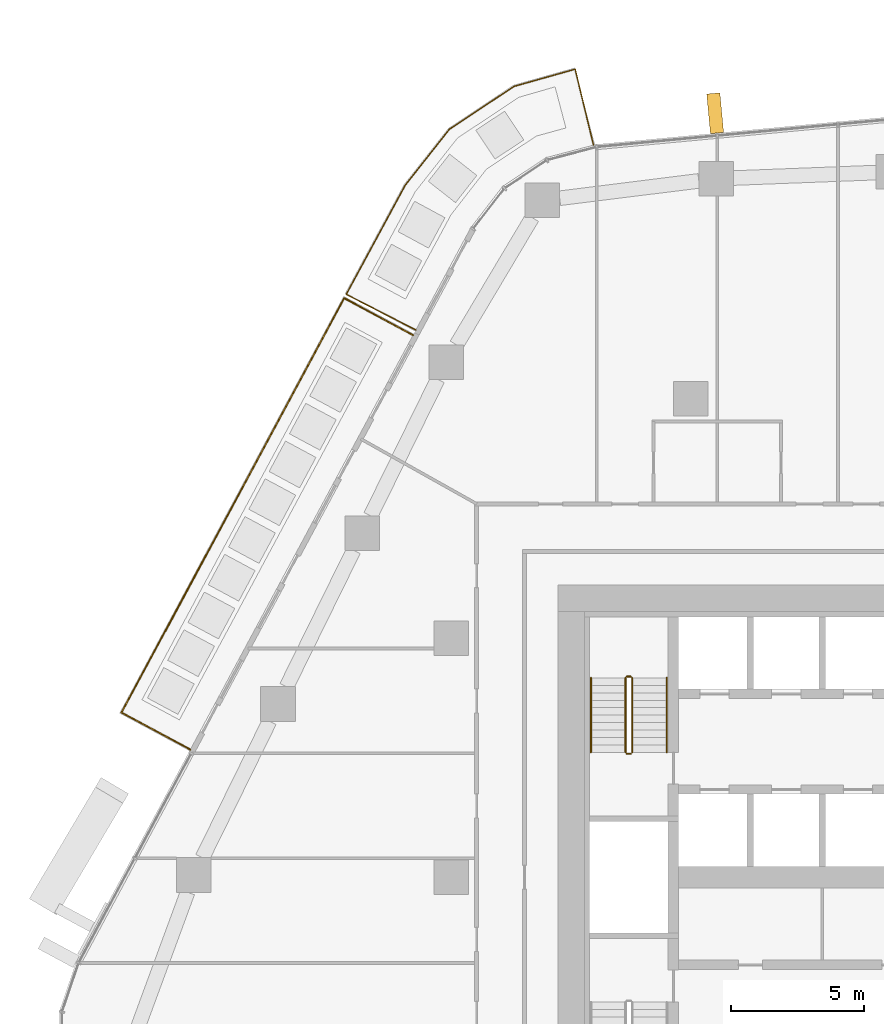
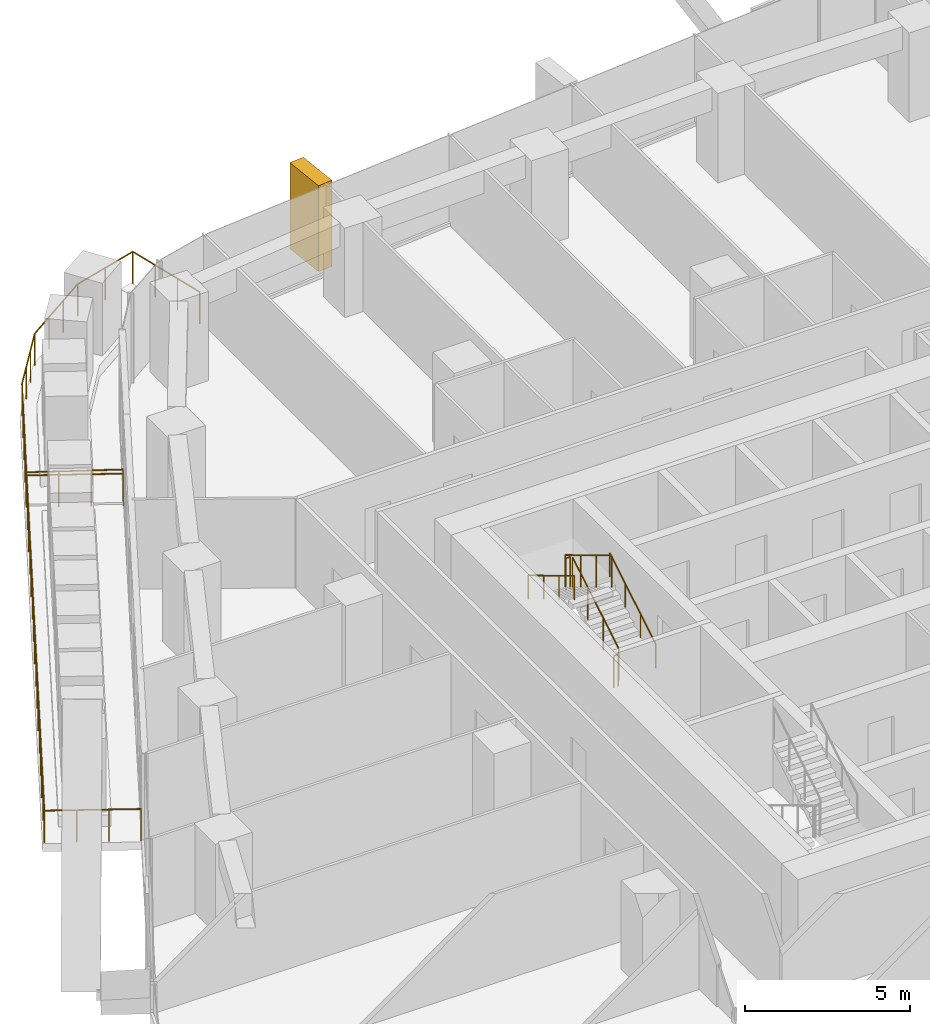
# One storey, part 21 of 23: 8 railings, 1 covering, 1 element without a shape of its own.
"""IFC4 building model written with IfcOpenShell, lengths in metres."""

from ifc_helpers import new_model, si_unit, direction, frame, origin, origin_2d, place, context, subcontext, project, spatial, rectangle, circle, extrude, material, layer, layer_set, material_profile, profile_set, type_object, element, aggregate, save


model = new_model("IFC4")

# Units and contexts
model_context = context("Model", 3, precision=1e-05, world=origin(), true_north=direction((0.0, 1.0)))
body_context = subcontext(model_context, "Body", "Model", "MODEL_VIEW")
ifc_project = project(units=[si_unit("LENGTHUNIT", "METRE"), si_unit("AREAUNIT", "SQUARE_METRE"), si_unit("VOLUMEUNIT", "CUBIC_METRE"), si_unit("PLANEANGLEUNIT", "RADIAN"), si_unit("MASSUNIT", "GRAM", prefix="KILO")], contexts=[model_context])

# Site, building, storey
site_placement = place(None, origin())
site = spatial("IfcSite", under=ifc_project, at=site_placement, CompositionType="ELEMENT")
building_placement = place(site_placement, origin())
building = spatial("IfcBuilding", under=site, at=building_placement, Name="Dongbaek Canopy Tower", CompositionType="ELEMENT")
storey_placement = place(building_placement, frame((0.0, 0.0, 121.10009765625)))
storey = spatial("IfcBuildingStorey", under=building, at=storey_placement, Name="L26", CompositionType="ELEMENT", Elevation=121.10009765625)

# Railings
ifc_material_1 = material(Name="Stainless steel", Category="steel")
railing_type_1 = type_object("IfcRailingType", Name="Balcony balustrade 1200", PredefinedType="BALUSTRADE", material=ifc_material_1)
railing_1_placement = place(storey_placement, frame((-19.446533203125, 20.402099609375, 0.0)))
element("IfcRailing", 1, at=railing_1_placement, inside=storey, type_object=railing_type_1, Name="Balcony guard L26 2", PredefinedType="BALUSTRADE", context=body_context, shape_type="SweptSolid", body=[
    extrude(circle(Radius=0.02392578125, at=origin_2d()), frame((0.0, 0.0, 1.17578125), z_axis=(-0.880868115947, 0.473361766842, 0.0), x_axis=(-0.473361766842, -0.880868115947, 0.0)), (0.0, 0.0, 1.0), 2.93994140625),
    extrude(circle(Radius=0.02392578125, at=origin_2d()), frame((-2.589599609375, 1.3916015625, 1.17578125), z_axis=(-0.473412360559, -0.880840925974, 0.0), x_axis=(0.880840925974, -0.473412360559, 0.0)), (0.0, 0.0, 1.0), 17.708251953125),
    extrude(circle(Radius=0.02392578125, at=origin_2d()), frame((-10.972900390625, -14.20654296875, 1.17578125), z_axis=(0.880833487352, -0.473426200753, 0.0), x_axis=(0.473426200753, 0.880833487352, 0.0)), (0.0, 0.0, 1.0), 2.93994140625),
    extrude(circle(Radius=0.02099609375, at=origin_2d()), origin(), (0.0, 0.0, 1.0), 1.15185546875),
    extrude(circle(Radius=0.02099609375, at=origin_2d()), frame((-0.86328125, 0.4638671875, 0.0)), (0.0, 0.0, 1.0), 1.15185546875),
    extrude(circle(Radius=0.02099609375, at=origin_2d()), frame((-1.726318359375, 0.927734375, 0.0)), (0.0, 0.0, 1.0), 1.15185546875),
    extrude(circle(Radius=0.02099609375, at=origin_2d()), frame((-2.589599609375, 1.3916015625, 0.0)), (0.0, 0.0, 1.0), 1.15185546875),
    extrude(circle(Radius=0.02099609375, at=origin_2d()), frame((-3.1484375, 0.351806640625, 0.0)), (0.0, 0.0, 1.0), 1.15185546875),
    extrude(circle(Radius=0.02099609375, at=origin_2d()), frame((-3.707275390625, -0.688232421875, 0.0)), (0.0, 0.0, 1.0), 1.15185546875),
    extrude(circle(Radius=0.02099609375, at=origin_2d()), frame((-4.266357421875, -1.72802734375, 0.0)), (0.0, 0.0, 1.0), 1.15185546875),
    extrude(circle(Radius=0.02099609375, at=origin_2d()), frame((-4.8251953125, -2.767822265625, 0.0)), (0.0, 0.0, 1.0), 1.15185546875),
    extrude(circle(Radius=0.02099609375, at=origin_2d()), frame((-5.384033203125, -3.807861328125, 0.0)), (0.0, 0.0, 1.0), 1.15185546875),
    extrude(circle(Radius=0.02099609375, at=origin_2d()), frame((-5.94287109375, -4.84765625, 0.0)), (0.0, 0.0, 1.0), 1.15185546875),
    extrude(circle(Radius=0.02099609375, at=origin_2d()), frame((-6.501708984375, -5.887451171875, 0.0)), (0.0, 0.0, 1.0), 1.15185546875),
    extrude(circle(Radius=0.02099609375, at=origin_2d()), frame((-7.060791015625, -6.927490234375, 0.0)), (0.0, 0.0, 1.0), 1.15185546875),
    extrude(circle(Radius=0.02099609375, at=origin_2d()), frame((-7.61962890625, -7.96728515625, 0.0)), (0.0, 0.0, 1.0), 1.15185546875),
    extrude(circle(Radius=0.02099609375, at=origin_2d()), frame((-8.178466796875, -9.007080078125, 0.0)), (0.0, 0.0, 1.0), 1.15185546875),
    extrude(circle(Radius=0.02099609375, at=origin_2d()), frame((-8.7373046875, -10.047119140625, 0.0)), (0.0, 0.0, 1.0), 1.15185546875),
    extrude(circle(Radius=0.02099609375, at=origin_2d()), frame((-9.296142578125, -11.0869140625, 0.0)), (0.0, 0.0, 1.0), 1.15185546875),
    extrude(circle(Radius=0.02099609375, at=origin_2d()), frame((-9.855224609375, -12.126708984375, 0.0)), (0.0, 0.0, 1.0), 1.15185546875),
    extrude(circle(Radius=0.02099609375, at=origin_2d()), frame((-10.4140625, -13.166748046875, 0.0)), (0.0, 0.0, 1.0), 1.15185546875),
    extrude(circle(Radius=0.02099609375, at=origin_2d()), frame((-10.972900390625, -14.20654296875, 0.0)), (0.0, 0.0, 1.0), 1.15185546875),
    extrude(circle(Radius=0.02099609375, at=origin_2d()), frame((-10.109619140625, -14.67041015625, 0.0)), (0.0, 0.0, 1.0), 1.15185546875),
    extrude(circle(Radius=0.02099609375, at=origin_2d()), frame((-9.24658203125, -15.134521484375, 0.0)), (0.0, 0.0, 1.0), 1.15185546875),
    extrude(circle(Radius=0.02099609375, at=origin_2d()), frame((-8.38330078125, -15.598388671875, 0.0)), (0.0, 0.0, 1.0), 1.15185546875),
])
railing_2_placement = place(storey_placement, frame((-12.654296875, 27.55224609375, 0.0)))
element("IfcRailing", 2, at=railing_2_placement, inside=storey, type_object=railing_type_1, Name="Balcony guard L26 6", PredefinedType="BALUSTRADE", context=body_context, shape_type="SweptSolid", body=[
    extrude(circle(Radius=0.02392578125, at=origin_2d()), frame((0.0, 0.0, 1.17578125), z_axis=(-0.234967872109, 0.97200313738, 0.0), x_axis=(-0.97200313738, -0.234967872109, 0.0)), (0.0, 0.0, 1.0), 2.9404296875),
    extrude(circle(Radius=0.02392578125, at=origin_2d()), frame((-0.69091796875, 2.858154296875, 1.17578125), z_axis=(-0.962683385064, -0.270630190707, 0.0), x_axis=(0.270630190707, -0.962683385064, 0.0)), (0.0, 0.0, 1.0), 2.3896484375),
    extrude(circle(Radius=0.02392578125, at=origin_2d()), frame((-2.991455078125, 2.21142578125, 1.17578125), z_axis=(-0.833398679356, -0.552672272914, 0.0), x_axis=(0.552672272914, -0.833398679356, 0.0)), (0.0, 0.0, 1.0), 2.91943359375),
    extrude(circle(Radius=0.02392578125, at=origin_2d()), frame((-5.424560546875, 0.597900390625, 1.17578125), z_axis=(-0.619549781099, -0.784957367467, 0.0), x_axis=(0.784957367467, -0.619549781099, 0.0)), (0.0, 0.0, 1.0), 2.680419921875),
    extrude(circle(Radius=0.02392578125, at=origin_2d()), frame((-7.085205078125, -1.506103515625, 1.17578125), z_axis=(-0.475286442309, -0.879831118884, 0.0), x_axis=(0.879831118884, -0.475286442309, 0.0)), (0.0, 0.0, 1.0), 4.6728515625),
    extrude(circle(Radius=0.02392578125, at=origin_2d()), frame((-9.30615234375, -5.617431640625, 1.17578125), z_axis=(0.890305305538, -0.455364099299, 0.0), x_axis=(0.455364099299, 0.890305305538, 0.0)), (0.0, 0.0, 1.0), 2.940673828125),
    extrude(circle(Radius=0.02099609375, at=origin_2d()), origin(), (0.0, 0.0, 1.0), 1.15185546875),
    extrude(circle(Radius=0.02099609375, at=origin_2d()), frame((-0.230224609375, 0.95263671875, 0.0)), (0.0, 0.0, 1.0), 1.15185546875),
    extrude(circle(Radius=0.02099609375, at=origin_2d()), frame((-0.460693359375, 1.905517578125, 0.0)), (0.0, 0.0, 1.0), 1.15185546875),
    extrude(circle(Radius=0.02099609375, at=origin_2d()), frame((-0.69091796875, 2.858154296875, 0.0)), (0.0, 0.0, 1.0), 1.15185546875),
    extrude(circle(Radius=0.02099609375, at=origin_2d()), frame((-1.84130859375, 2.53466796875, 0.0)), (0.0, 0.0, 1.0), 1.15185546875),
    extrude(circle(Radius=0.02099609375, at=origin_2d()), frame((-2.991455078125, 2.21142578125, 0.0)), (0.0, 0.0, 1.0), 1.15185546875),
    extrude(circle(Radius=0.02099609375, at=origin_2d()), frame((-3.802490234375, 1.673583984375, 0.0)), (0.0, 0.0, 1.0), 1.15185546875),
    extrude(circle(Radius=0.02099609375, at=origin_2d()), frame((-4.613525390625, 1.1357421875, 0.0)), (0.0, 0.0, 1.0), 1.15185546875),
    extrude(circle(Radius=0.02099609375, at=origin_2d()), frame((-5.424560546875, 0.597900390625, 0.0)), (0.0, 0.0, 1.0), 1.15185546875),
    extrude(circle(Radius=0.02099609375, at=origin_2d()), frame((-5.97802734375, -0.103515625, 0.0)), (0.0, 0.0, 1.0), 1.15185546875),
    extrude(circle(Radius=0.02099609375, at=origin_2d()), frame((-6.53173828125, -0.8046875, 0.0)), (0.0, 0.0, 1.0), 1.15185546875),
    extrude(circle(Radius=0.02099609375, at=origin_2d()), frame((-7.085205078125, -1.506103515625, 0.0)), (0.0, 0.0, 1.0), 1.15185546875),
    extrude(circle(Radius=0.02099609375, at=origin_2d()), frame((-7.640380859375, -2.533935546875, 0.0)), (0.0, 0.0, 1.0), 1.15185546875),
    extrude(circle(Radius=0.02099609375, at=origin_2d()), frame((-8.19580078125, -3.561767578125, 0.0)), (0.0, 0.0, 1.0), 1.15185546875),
    extrude(circle(Radius=0.02099609375, at=origin_2d()), frame((-8.7509765625, -4.589599609375, 0.0)), (0.0, 0.0, 1.0), 1.15185546875),
    extrude(circle(Radius=0.02099609375, at=origin_2d()), frame((-9.30615234375, -5.617431640625, 0.0)), (0.0, 0.0, 1.0), 1.15185546875),
    extrude(circle(Radius=0.02099609375, at=origin_2d()), frame((-8.433349609375, -6.063720703125, 0.0)), (0.0, 0.0, 1.0), 1.15185546875),
    extrude(circle(Radius=0.02099609375, at=origin_2d()), frame((-7.560791015625, -6.51025390625, 0.0)), (0.0, 0.0, 1.0), 1.15185546875),
    extrude(circle(Radius=0.02099609375, at=origin_2d()), frame((-6.68798828125, -6.95654296875, 0.0)), (0.0, 0.0, 1.0), 1.15185546875),
])

# Curtain wall, covering
ifc_material_2 = material(Name="Aluminium 6063-T6 pale anodised", Category="aluminium")
ifc_layer = layer(ifc_material_2, 0.199951171875)
ifc_layer_set = layer_set([ifc_layer], Name="CW-1 unitised tower curtain wall")
curtain_wall_type = type_object("IfcCurtainWallType", Name="CW-1 unitised tower curtain wall", PredefinedType="NOTDEFINED", material=ifc_layer_set)
curtain_wall_placement = place(storey_placement, origin())
curtain_wall = element("IfcCurtainWall", 3, at=curtain_wall_placement, inside=storey, type_object=curtain_wall_type, Name="CW-1 curtain wall F1.1", PredefinedType="NOTDEFINED")
ifc_material_3 = material(Name="Aluminium 6063-T6 pale metal fin", Category="aluminium")
ifc_material_profile = material_profile(ifc_material_3, rectangle(XDim=1.5, YDim=0.5, at=origin_2d()), Name="Fin FN1 500 x 1500 pale metal")
ifc_profile_set = profile_set([ifc_material_profile], Name="Aluminium 6063-T6 pale metal fin")
covering_type = type_object("IfcCoveringType", Name="Fin FN1 500 x 1500 pale metal", PredefinedType="CLADDING", material=ifc_profile_set)
covering_placement = place(storey_placement, frame((-8.076171875, 28.7529296875, 0.119873046875), z_axis=(0.0, 0.0, 1.0), x_axis=(-0.093397804951, 0.995628871634, 0.0)))
covering = element("IfcCovering", 4, at=covering_placement, type_object=covering_type, Name="Fin F1.1.5", PredefinedType="CLADDING", context=body_context, shape_type="SweptSolid", body=[
    extrude(rectangle(XDim=1.5, YDim=0.5, at=origin_2d()), origin(), (0.0, 0.0, 1.0), 3.179931640625),
])
aggregate(curtain_wall, [covering])

# Railings
ifc_material_4 = material(Name="Stainless steel tube and balusters", Category="steel")
railing_type_2 = type_object("IfcRailingType", Name="Stair guard 1200", PredefinedType="GUARDRAIL", material=ifc_material_4)
railing_3_placement = place(storey_placement, frame((-11.199951171875, 4.699951171875, 0.16796875)))
element("IfcRailing", 5, at=railing_3_placement, inside=storey, type_object=railing_type_2, Name="L26 ST-C stair guard 1", PredefinedType="GUARDRAIL", context=body_context, shape_type="SweptSolid", body=[
    extrude(circle(Radius=0.02392578125, at=origin_2d()), frame((0.0, 0.0, 1.17578125), z_axis=(0.0, 0.857242210791, 0.514913383045), x_axis=(-1.0, 0.0, 0.0)), (0.0, 0.0, 1.0), 3.266357421875),
    extrude(circle(Radius=0.02099609375, at=origin_2d()), origin(), (0.0, 0.0, 1.0), 1.15185546875),
    extrude(circle(Radius=0.02099609375, at=origin_2d()), frame((0.0, 0.933349609375, 0.560546875)), (0.0, 0.0, 1.0), 1.15185546875),
    extrude(circle(Radius=0.02099609375, at=origin_2d()), frame((0.0, 1.86669921875, 1.121337890625)), (0.0, 0.0, 1.0), 1.15185546875),
    extrude(circle(Radius=0.02099609375, at=origin_2d()), frame((0.0, 2.800048828125, 1.681884765625)), (0.0, 0.0, 1.0), 1.15185546875),
])
railing_4_placement = place(storey_placement, frame((-11.25, 7.550048828125, 1.849853515625)))
element("IfcRailing", 6, at=railing_4_placement, inside=storey, type_object=railing_type_2, Name="L26 ST-C stair guard 2", PredefinedType="GUARDRAIL", context=body_context, shape_type="SweptSolid", body=[
    extrude(circle(Radius=0.02392578125, at=origin_2d()), frame((0.0, 0.0, 1.17578125), z_axis=(-1.0, 0.0, 0.0), x_axis=(0.0, -1.0, 0.0)), (0.0, 0.0, 1.0), 0.14990234375),
    extrude(circle(Radius=0.02099609375, at=origin_2d()), origin(), (0.0, 0.0, 1.0), 1.15185546875),
    extrude(circle(Radius=0.02099609375, at=origin_2d()), frame((-0.14990234375, 0.0, 0.0)), (0.0, 0.0, 1.0), 1.15185546875),
])
railing_5_placement = place(storey_placement, frame((-11.449951171875, 7.5, 2.01806640625)))
element("IfcRailing", 7, at=railing_5_placement, inside=storey, type_object=railing_type_2, Name="L26 ST-C stair guard 3", PredefinedType="GUARDRAIL", context=body_context, shape_type="SweptSolid", body=[
    extrude(circle(Radius=0.02392578125, at=origin_2d()), frame((0.0, 0.0, 1.17578125), z_axis=(0.0, -0.857242210791, 0.514913383045), x_axis=(1.0, 0.0, 0.0)), (0.0, 0.0, 1.0), 3.266357421875),
    extrude(circle(Radius=0.02099609375, at=origin_2d()), origin(), (0.0, 0.0, 1.0), 1.15185546875),
    extrude(circle(Radius=0.02099609375, at=origin_2d()), frame((0.0, -0.933349609375, 0.560546875)), (0.0, 0.0, 1.0), 1.15185546875),
    extrude(circle(Radius=0.02099609375, at=origin_2d()), frame((0.0, -1.86669921875, 1.121337890625)), (0.0, 0.0, 1.0), 1.15185546875),
    extrude(circle(Radius=0.02099609375, at=origin_2d()), frame((0.0, -2.800048828125, 1.681884765625)), (0.0, 0.0, 1.0), 1.15185546875),
])
railing_6_placement = place(storey_placement, frame((-11.25, 4.64990234375, 0.0)))
element("IfcRailing", 8, at=railing_6_placement, inside=storey, type_object=railing_type_2, Name="L26 ST-C stair guard 4", PredefinedType="GUARDRAIL", context=body_context, shape_type="SweptSolid", body=[
    extrude(circle(Radius=0.02392578125, at=origin_2d()), frame((0.0, 0.0, 1.17578125), z_axis=(-1.0, 0.0, 0.0), x_axis=(0.0, -1.0, 0.0)), (0.0, 0.0, 1.0), 0.14990234375),
    extrude(circle(Radius=0.02099609375, at=origin_2d()), origin(), (0.0, 0.0, 1.0), 1.15185546875),
    extrude(circle(Radius=0.02099609375, at=origin_2d()), frame((-0.14990234375, 0.0, 0.0)), (0.0, 0.0, 1.0), 1.15185546875),
])
ifc_material_5 = material(Name="Stainless steel tube", Category="steel")
railing_type_3 = type_object("IfcRailingType", Name="Stair handrail 900", PredefinedType="HANDRAIL", material=ifc_material_5)
railing_7_placement = place(storey_placement, frame((-9.89990234375, 4.699951171875, 0.16796875)))
element("IfcRailing", 9, at=railing_7_placement, inside=storey, type_object=railing_type_3, Name="L26 ST-C stair handrail 1", PredefinedType="HANDRAIL", context=body_context, shape_type="SweptSolid", body=[
    extrude(circle(Radius=0.02392578125, at=origin_2d()), frame((0.0, 0.0, 0.8759765625), z_axis=(0.0, 0.857242210791, 0.514913383045), x_axis=(-1.0, 0.0, 0.0)), (0.0, 0.0, 1.0), 3.266357421875),
    extrude(circle(Radius=0.02099609375, at=origin_2d()), origin(), (0.0, 0.0, 1.0), 0.851806640625),
    extrude(circle(Radius=0.02099609375, at=origin_2d()), frame((0.0, 0.933349609375, 0.560546875)), (0.0, 0.0, 1.0), 0.851806640625),
    extrude(circle(Radius=0.02099609375, at=origin_2d()), frame((0.0, 1.86669921875, 1.121337890625)), (0.0, 0.0, 1.0), 0.851806640625),
    extrude(circle(Radius=0.02099609375, at=origin_2d()), frame((0.0, 2.800048828125, 1.681884765625)), (0.0, 0.0, 1.0), 0.851806640625),
])
railing_8_placement = place(storey_placement, frame((-12.75, 7.5, 2.01806640625)))
element("IfcRailing", 10, at=railing_8_placement, inside=storey, type_object=railing_type_3, Name="L26 ST-C stair handrail 2", PredefinedType="HANDRAIL", context=body_context, shape_type="SweptSolid", body=[
    extrude(circle(Radius=0.02392578125, at=origin_2d()), frame((0.0, 0.0, 0.8759765625), z_axis=(0.0, -0.857242210791, 0.514913383045), x_axis=(1.0, 0.0, 0.0)), (0.0, 0.0, 1.0), 3.266357421875),
    extrude(circle(Radius=0.02099609375, at=origin_2d()), origin(), (0.0, 0.0, 1.0), 0.851806640625),
    extrude(circle(Radius=0.02099609375, at=origin_2d()), frame((0.0, -0.933349609375, 0.560546875)), (0.0, 0.0, 1.0), 0.851806640625),
    extrude(circle(Radius=0.02099609375, at=origin_2d()), frame((0.0, -1.86669921875, 1.121337890625)), (0.0, 0.0, 1.0), 0.851806640625),
    extrude(circle(Radius=0.02099609375, at=origin_2d()), frame((0.0, -2.800048828125, 1.681884765625)), (0.0, 0.0, 1.0), 0.851806640625),
])

save(model, "model.ifc")
